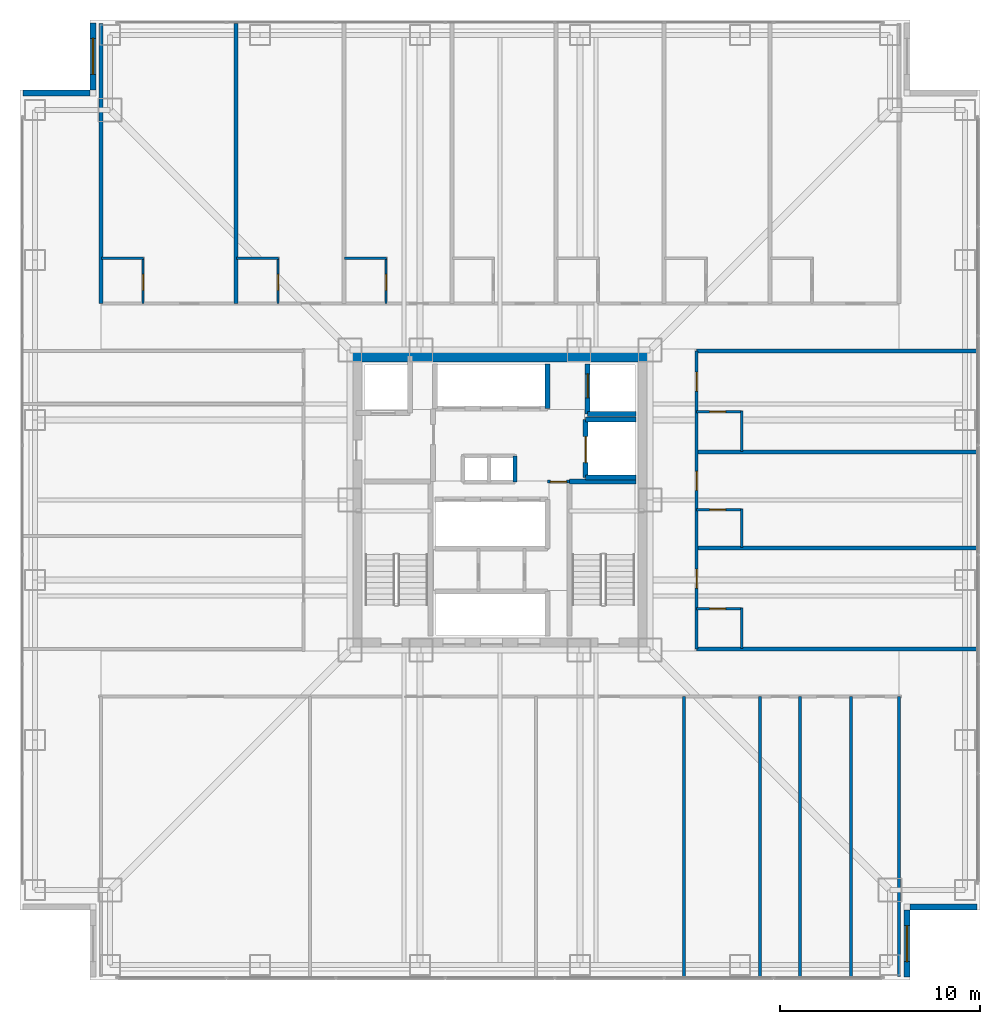
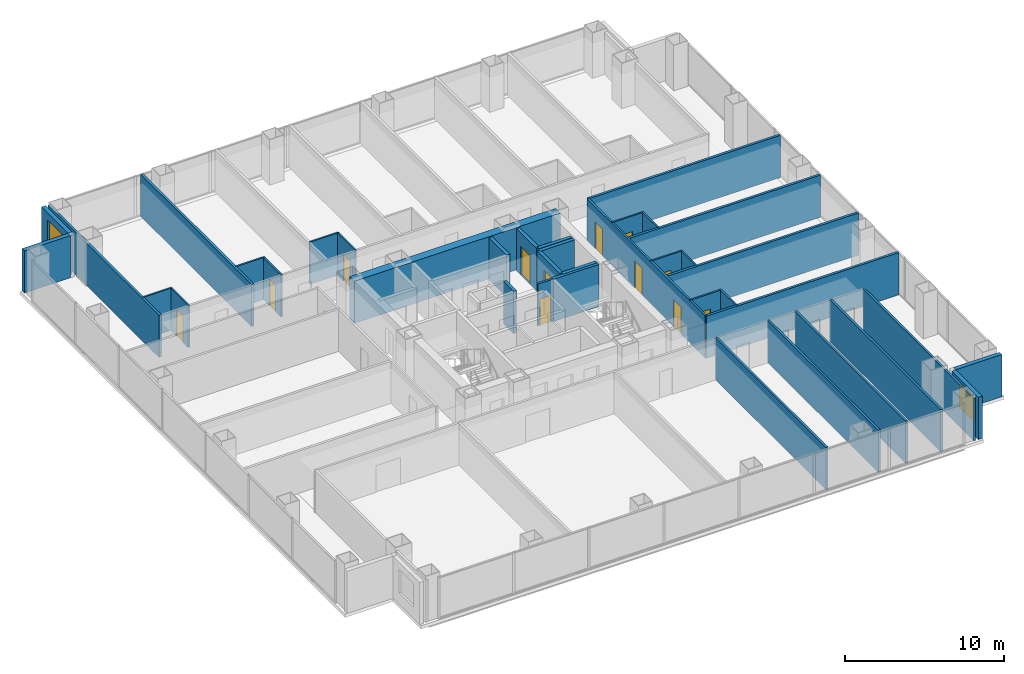
# One storey, part 12 of 16: 38 walls, 12 doors, 2 windows, 14 openings.
"""IFC4 building model written with IfcOpenShell, lengths in metres."""

from ifc_helpers import new_model, si_unit, direction, frame, frame_2d, origin, place, context, subcontext, project, spatial, rectangle, extrude, material, layer, layer_set, type_object, element, fill, save


model = new_model("IFC4")

# Units and contexts
model_context = context("Model", 3, precision=1e-05, world=origin(), true_north=direction((0.0, 1.0)))
body_context = subcontext(model_context, "Body", "Model", "MODEL_VIEW")
ifc_project = project(units=[si_unit("LENGTHUNIT", "METRE"), si_unit("AREAUNIT", "SQUARE_METRE"), si_unit("VOLUMEUNIT", "CUBIC_METRE"), si_unit("PLANEANGLEUNIT", "RADIAN"), si_unit("MASSUNIT", "GRAM", prefix="KILO")], contexts=[model_context])

# Site, building, storey
site_placement = place(None, origin())
site = spatial("IfcSite", under=ifc_project, at=site_placement, CompositionType="ELEMENT")
building_placement = place(site_placement, origin())
building = spatial("IfcBuilding", under=site, at=building_placement, Name="Trevonay Congress Spire", CompositionType="ELEMENT")
storey_placement = place(building_placement, frame((0.0, 0.0, 72.5)))
storey = spatial("IfcBuildingStorey", under=building, at=storey_placement, Name="L18", CompositionType="ELEMENT", Elevation=72.5)

# Wall, opening, door
ifc_material_1 = material(Name="Concrete C40/50", Category="concrete")
ifc_layer_1 = layer(ifc_material_1, 0.1201171875, Name="Concrete C40/50")
ifc_layer_set_1 = layer_set([ifc_layer_1], Name="Concrete C40/50")
wall_type_1 = type_object("IfcWallType", Name="WAL-BATH-120", PredefinedType="PLUMBINGWALL", material=ifc_layer_set_1)
wall_1_placement = place(storey_placement, frame((-17.85009765625, 9.830078125, 0.0), z_axis=(0.0, 0.0, 1.0), x_axis=(0.0, 1.0, 0.0)))
wall_1 = element("IfcWall", 1, at=wall_1_placement, inside=storey, type_object=wall_type_1, Name="L18 interior wall WH-L18N-BS1", PredefinedType="PLUMBINGWALL", context=body_context, shape_type="SweptSolid", body=[
    extrude(rectangle(XDim=2.25, YDim=0.1201171875, at=frame_2d((1.125, 0.0))), origin(), (0.0, 0.0, 1.0), 3.25),
])
opening_1_placement = place(wall_1_placement, frame((0.64990234375, 0.0, 0.0)))
opening_1 = element("IfcOpeningElement", 2, at=opening_1_placement, cuts=wall_1, Name="Opening D11", PredefinedType="OPENING", context=body_context, shape_type="SweptSolid", body=[
    extrude(rectangle(XDim=0.800048828125, YDim=2.050048828125, at=frame_2d((0.39990234375, 1.02490234375))), frame((0.0, 0.070068359375, 0.0), z_axis=(0.0, -1.0, 0.0), x_axis=(1.0, 0.0, 0.0)), (0.0, 0.0, 1.0), 0.14013671875),
])
ifc_material_2 = material(Name="Pale Anodised Aluminium EN AW-6063-T6", Category="aluminium")
door_type_1 = type_object("IfcDoorType", Name="DOR-BATH-80", OperationType="NOTDEFINED", PredefinedType="DOOR", material=ifc_material_2)
door_1_placement = place(opening_1_placement, origin())
door_1 = element("IfcDoor", 3, at=door_1_placement, inside=storey, type_object=door_type_1, Name="L18 En-suite Bathroom Door", OperationType="SINGLE_SWING_LEFT", OverallHeight=2.050048828125, OverallWidth=0.800048828125, PredefinedType="DOOR", context=body_context, shape_type="SweptSolid", body=[
    extrude(rectangle(XDim=0.800048828125, YDim=2.050048828125, at=frame_2d((0.39990234375, 1.02490234375))), frame((0.0, 0.02490234375, 0.0), z_axis=(0.0, -1.0, 0.0), x_axis=(1.0, 0.0, 0.0)), (0.0, 0.0, 1.0), 0.050048828125),
])
fill(opening_1, door_1)

# Wall
wall_2_placement = place(storey_placement, frame((-19.919921875, 12.080078125, 0.0), z_axis=(0.0, 0.0, 1.0), x_axis=(1.0, 0.0, 0.0)))
element("IfcWall", 4, at=wall_2_placement, inside=storey, type_object=wall_type_1, Name="L18 interior wall WH-L18N-BF1", PredefinedType="PLUMBINGWALL", context=body_context, shape_type="SweptSolid", body=[
    extrude(rectangle(XDim=2.099853515625, YDim=0.1201171875, at=frame_2d((1.0498046875, 0.0))), origin(), (0.0, 0.0, 1.0), 3.25),
])

# Wall, opening, door
wall_3_placement = place(storey_placement, frame((-11.10009765625, 9.830078125, 0.0), z_axis=(0.0, 0.0, 1.0), x_axis=(0.0, 1.0, 0.0)))
wall_3 = element("IfcWall", 5, at=wall_3_placement, inside=storey, type_object=wall_type_1, Name="L18 interior wall WH-L18N-BS2", PredefinedType="PLUMBINGWALL", context=body_context, shape_type="SweptSolid", body=[
    extrude(rectangle(XDim=2.25, YDim=0.1201171875, at=frame_2d((1.125, 0.0))), origin(), (0.0, 0.0, 1.0), 3.25),
])
opening_2_placement = place(wall_3_placement, frame((0.64990234375, 0.0, 0.0)))
opening_2 = element("IfcOpeningElement", 6, at=opening_2_placement, cuts=wall_3, Name="Opening D11", PredefinedType="OPENING", context=body_context, shape_type="SweptSolid", body=[
    extrude(rectangle(XDim=0.800048828125, YDim=2.050048828125, at=frame_2d((0.39990234375, 1.02490234375))), frame((0.0, 0.070068359375, 0.0), z_axis=(0.0, -1.0, 0.0), x_axis=(1.0, 0.0, 0.0)), (0.0, 0.0, 1.0), 0.14013671875),
])
door_2_placement = place(opening_2_placement, origin())
door_2 = element("IfcDoor", 7, at=door_2_placement, inside=storey, type_object=door_type_1, Name="L18 En-suite Bathroom Door", OperationType="SINGLE_SWING_RIGHT", OverallHeight=2.050048828125, OverallWidth=0.800048828125, PredefinedType="DOOR", context=body_context, shape_type="SweptSolid", body=[
    extrude(rectangle(XDim=0.800048828125, YDim=2.050048828125, at=frame_2d((0.39990234375, 1.02490234375))), frame((0.0, 0.02490234375, 0.0), z_axis=(0.0, -1.0, 0.0), x_axis=(1.0, 0.0, 0.0)), (0.0, 0.0, 1.0), 0.050048828125),
])
fill(opening_2, door_2)

# Wall
wall_4_placement = place(storey_placement, frame((-13.169921875, 12.080078125, 0.0), z_axis=(0.0, 0.0, 1.0), x_axis=(1.0, 0.0, 0.0)))
element("IfcWall", 8, at=wall_4_placement, inside=storey, type_object=wall_type_1, Name="L18 interior wall WH-L18N-BF2", PredefinedType="PLUMBINGWALL", context=body_context, shape_type="SweptSolid", body=[
    extrude(rectangle(XDim=2.099853515625, YDim=0.1201171875, at=frame_2d((1.0498046875, 0.0))), origin(), (0.0, 0.0, 1.0), 3.25),
])

# Wall, opening, door
wall_5_placement = place(storey_placement, frame((-5.699951171875, 9.830078125, 0.0), z_axis=(0.0, 0.0, 1.0), x_axis=(0.0, 1.0, 0.0)))
wall_5 = element("IfcWall", 9, at=wall_5_placement, inside=storey, type_object=wall_type_1, Name="L18 interior wall WH-L18N-BS3", PredefinedType="PLUMBINGWALL", context=body_context, shape_type="SweptSolid", body=[
    extrude(rectangle(XDim=2.25, YDim=0.1201171875, at=frame_2d((1.125, 0.0))), origin(), (0.0, 0.0, 1.0), 3.25),
])
opening_3_placement = place(wall_5_placement, frame((0.64990234375, 0.0, 0.0)))
opening_3 = element("IfcOpeningElement", 10, at=opening_3_placement, cuts=wall_5, Name="Opening D11", PredefinedType="OPENING", context=body_context, shape_type="SweptSolid", body=[
    extrude(rectangle(XDim=0.800048828125, YDim=2.050048828125, at=frame_2d((0.39990234375, 1.02490234375))), frame((0.0, 0.070068359375, 0.0), z_axis=(0.0, -1.0, 0.0), x_axis=(1.0, 0.0, 0.0)), (0.0, 0.0, 1.0), 0.14013671875),
])
door_3_placement = place(opening_3_placement, origin())
door_3 = element("IfcDoor", 11, at=door_3_placement, inside=storey, type_object=door_type_1, Name="L18 En-suite Bathroom Door", OperationType="SINGLE_SWING_LEFT", OverallHeight=2.050048828125, OverallWidth=0.800048828125, PredefinedType="DOOR", context=body_context, shape_type="SweptSolid", body=[
    extrude(rectangle(XDim=0.800048828125, YDim=2.050048828125, at=frame_2d((0.39990234375, 1.02490234375))), frame((0.0, 0.02490234375, 0.0), z_axis=(0.0, -1.0, 0.0), x_axis=(1.0, 0.0, 0.0)), (0.0, 0.0, 1.0), 0.050048828125),
])
fill(opening_3, door_3)

# Wall
wall_6_placement = place(storey_placement, frame((-7.77001953125, 12.080078125, 0.0), z_axis=(0.0, 0.0, 1.0), x_axis=(1.0, 0.0, 0.0)))
element("IfcWall", 12, at=wall_6_placement, inside=storey, type_object=wall_type_1, Name="L18 interior wall WH-L18N-BF3", PredefinedType="PLUMBINGWALL", context=body_context, shape_type="SweptSolid", body=[
    extrude(rectangle(XDim=2.10009765625, YDim=0.1201171875, at=frame_2d((1.050048828125, 0.0))), origin(), (0.0, 0.0, 1.0), 3.25),
])

# Wall, opening, door
wall_7_placement = place(storey_placement, frame((9.830078125, -5.44189453125, 0.0), z_axis=(0.0, 0.0, 1.0), x_axis=(1.0, 0.0, 0.0)))
wall_7 = element("IfcWall", 13, at=wall_7_placement, inside=storey, type_object=wall_type_1, Name="L18 interior wall WH-L18E-BS1", PredefinedType="PLUMBINGWALL", context=body_context, shape_type="SweptSolid", body=[
    extrude(rectangle(XDim=2.25, YDim=0.1201171875, at=frame_2d((1.125, 0.0))), origin(), (0.0, 0.0, 1.0), 3.25),
])
opening_4_placement = place(wall_7_placement, frame((0.64990234375, 0.0, 0.0)))
opening_4 = element("IfcOpeningElement", 14, at=opening_4_placement, cuts=wall_7, Name="Opening D11", PredefinedType="OPENING", context=body_context, shape_type="SweptSolid", body=[
    extrude(rectangle(XDim=0.800048828125, YDim=2.050048828125, at=frame_2d((0.39990234375, 1.02490234375))), frame((0.0, 0.070068359375, 0.0), z_axis=(0.0, -1.0, 0.0), x_axis=(1.0, 0.0, 0.0)), (0.0, 0.0, 1.0), 0.14013671875),
])
door_4_placement = place(opening_4_placement, origin())
door_4 = element("IfcDoor", 15, at=door_4_placement, inside=storey, type_object=door_type_1, Name="L18 En-suite Bathroom Door", OperationType="SINGLE_SWING_RIGHT", OverallHeight=2.050048828125, OverallWidth=0.800048828125, PredefinedType="DOOR", context=body_context, shape_type="SweptSolid", body=[
    extrude(rectangle(XDim=0.800048828125, YDim=2.050048828125, at=frame_2d((0.39990234375, 1.02490234375))), frame((0.0, 0.02490234375, 0.0), z_axis=(0.0, -1.0, 0.0), x_axis=(1.0, 0.0, 0.0)), (0.0, 0.0, 1.0), 0.050048828125),
])
fill(opening_4, door_4)

# Wall
wall_8_placement = place(storey_placement, frame((12.080078125, -7.419921875, 0.0), z_axis=(0.0, 0.0, 1.0), x_axis=(0.0, 1.0, 0.0)))
element("IfcWall", 16, at=wall_8_placement, inside=storey, type_object=wall_type_1, Name="L18 interior wall WH-L18E-BF1", PredefinedType="PLUMBINGWALL", context=body_context, shape_type="SweptSolid", body=[
    extrude(rectangle(XDim=2.0078125, YDim=0.1201171875, at=frame_2d((1.00390625, 0.0))), origin(), (0.0, 0.0, 1.0), 3.25),
])

# Wall, opening, door
wall_9_placement = place(storey_placement, frame((9.830078125, -0.487060546875, 0.0), z_axis=(0.0, 0.0, 1.0), x_axis=(1.0, 0.0, 0.0)))
wall_9 = element("IfcWall", 17, at=wall_9_placement, inside=storey, type_object=wall_type_1, Name="L18 interior wall WH-L18E-BS2", PredefinedType="PLUMBINGWALL", context=body_context, shape_type="SweptSolid", body=[
    extrude(rectangle(XDim=2.25, YDim=0.1201171875, at=frame_2d((1.125, 0.0))), origin(), (0.0, 0.0, 1.0), 3.25),
])
opening_5_placement = place(wall_9_placement, frame((0.64990234375, 0.0, 0.0)))
opening_5 = element("IfcOpeningElement", 18, at=opening_5_placement, cuts=wall_9, Name="Opening D11", PredefinedType="OPENING", context=body_context, shape_type="SweptSolid", body=[
    extrude(rectangle(XDim=0.800048828125, YDim=2.050048828125, at=frame_2d((0.39990234375, 1.02490234375))), frame((0.0, 0.070068359375, 0.0), z_axis=(0.0, -1.0, 0.0), x_axis=(1.0, 0.0, 0.0)), (0.0, 0.0, 1.0), 0.14013671875),
])
door_5_placement = place(opening_5_placement, origin())
door_5 = element("IfcDoor", 19, at=door_5_placement, inside=storey, type_object=door_type_1, Name="L18 En-suite Bathroom Door", OperationType="SINGLE_SWING_LEFT", OverallHeight=2.050048828125, OverallWidth=0.800048828125, PredefinedType="DOOR", context=body_context, shape_type="SweptSolid", body=[
    extrude(rectangle(XDim=0.800048828125, YDim=2.050048828125, at=frame_2d((0.39990234375, 1.02490234375))), frame((0.0, 0.02490234375, 0.0), z_axis=(0.0, -1.0, 0.0), x_axis=(1.0, 0.0, 0.0)), (0.0, 0.0, 1.0), 0.050048828125),
])
fill(opening_5, door_5)

# Wall
wall_10_placement = place(storey_placement, frame((12.080078125, -2.3701171875, 0.0), z_axis=(0.0, 0.0, 1.0), x_axis=(0.0, 1.0, 0.0)))
element("IfcWall", 20, at=wall_10_placement, inside=storey, type_object=wall_type_1, Name="L18 interior wall WH-L18E-BF2", PredefinedType="PLUMBINGWALL", context=body_context, shape_type="SweptSolid", body=[
    extrude(rectangle(XDim=1.9130859375, YDim=0.1201171875, at=frame_2d((0.95654296875, 0.0))), origin(), (0.0, 0.0, 1.0), 3.25),
])

# Wall, opening, door
wall_11_placement = place(storey_placement, frame((9.830078125, 4.407958984375, 0.0), z_axis=(0.0, 0.0, 1.0), x_axis=(1.0, 0.0, 0.0)))
wall_11 = element("IfcWall", 21, at=wall_11_placement, inside=storey, type_object=wall_type_1, Name="L18 interior wall WH-L18E-BS3", PredefinedType="PLUMBINGWALL", context=body_context, shape_type="SweptSolid", body=[
    extrude(rectangle(XDim=2.25, YDim=0.1201171875, at=frame_2d((1.125, 0.0))), origin(), (0.0, 0.0, 1.0), 3.25),
])
opening_6_placement = place(wall_11_placement, frame((0.64990234375, 0.0, 0.0)))
opening_6 = element("IfcOpeningElement", 22, at=opening_6_placement, cuts=wall_11, Name="Opening D11", PredefinedType="OPENING", context=body_context, shape_type="SweptSolid", body=[
    extrude(rectangle(XDim=0.800048828125, YDim=2.050048828125, at=frame_2d((0.39990234375, 1.02490234375))), frame((0.0, 0.070068359375, 0.0), z_axis=(0.0, -1.0, 0.0), x_axis=(1.0, 0.0, 0.0)), (0.0, 0.0, 1.0), 0.14013671875),
])
door_6_placement = place(opening_6_placement, origin())
door_6 = element("IfcDoor", 23, at=door_6_placement, inside=storey, type_object=door_type_1, Name="L18 En-suite Bathroom Door", OperationType="SINGLE_SWING_RIGHT", OverallHeight=2.050048828125, OverallWidth=0.800048828125, PredefinedType="DOOR", context=body_context, shape_type="SweptSolid", body=[
    extrude(rectangle(XDim=0.800048828125, YDim=2.050048828125, at=frame_2d((0.39990234375, 1.02490234375))), frame((0.0, 0.02490234375, 0.0), z_axis=(0.0, -1.0, 0.0), x_axis=(1.0, 0.0, 0.0)), (0.0, 0.0, 1.0), 0.050048828125),
])
fill(opening_6, door_6)

# Walls
wall_12_placement = place(storey_placement, frame((12.080078125, 2.429931640625, 0.0), z_axis=(0.0, 0.0, 1.0), x_axis=(0.0, 1.0, 0.0)))
element("IfcWall", 24, at=wall_12_placement, inside=storey, type_object=wall_type_1, Name="L18 interior wall WH-L18E-BF3", PredefinedType="PLUMBINGWALL", context=body_context, shape_type="SweptSolid", body=[
    extrude(rectangle(XDim=2.008056640625, YDim=0.1201171875, at=frame_2d((1.00390625, 0.0))), origin(), (0.0, 0.0, 1.0), 3.25),
])
ifc_material_3 = material(Name="Concrete C60/75", Category="concrete")
ifc_layer_2 = layer(ifc_material_3, 0.60009765625, Name="Concrete C60/75")
ifc_layer_set_2 = layer_set([ifc_layer_2], Name="Concrete C60/75")
wall_type_2 = type_object("IfcWallType", Name="WAL-CORE-600", PredefinedType="SHEAR", material=ifc_layer_set_2)
wall_13_placement = place(storey_placement, frame((-7.5, 7.199951171875, 0.0), z_axis=(0.0, 0.0, 1.0), x_axis=(1.0, 0.0, 0.0)))
element("IfcWall", 25, at=wall_13_placement, inside=storey, type_object=wall_type_2, Name="L18 North structural core shear wall", PredefinedType="SHEAR", context=body_context, shape_type="SweptSolid", body=[
    extrude(rectangle(XDim=15.0, YDim=0.60009765625, at=frame_2d((7.5, 0.0))), origin(), (0.0, 0.0, 1.0), 3.25),
])

# Wall, openings, doors
ifc_layer_3 = layer(ifc_material_1, 0.14990234375, Name="Concrete C40/50")
ifc_layer_set_3 = layer_set([ifc_layer_3], Name="Concrete C40/50")
wall_type_3 = type_object("IfcWallType", Name="WAL-CORR-150", PredefinedType="PARTITIONING", material=ifc_layer_set_3)
wall_14_placement = place(storey_placement, frame((9.830078125, -7.449951171875, 0.0), z_axis=(0.0, 0.0, 1.0), x_axis=(0.0, 1.0, 0.0)))
wall_14 = element("IfcWall", 26, at=wall_14_placement, inside=storey, type_object=wall_type_3, Name="L18 interior wall WH-L18E-COR", PredefinedType="PARTITIONING", context=body_context, shape_type="SweptSolid", body=[
    extrude(rectangle(XDim=14.89990234375, YDim=0.14990234375, at=frame_2d((7.449951171875, 0.0))), origin(), (0.0, 0.0, 1.0), 3.25),
])
opening_7_placement = place(wall_14_placement, frame((3.049072265625, 0.0, 0.0)))
opening_7 = element("IfcOpeningElement", 27, at=opening_7_placement, cuts=wall_14, Name="Opening D08", PredefinedType="OPENING", context=body_context, shape_type="SweptSolid", body=[
    extrude(rectangle(XDim=0.949951171875, YDim=2.080078125, at=frame_2d((0.47509765625, 1.0400390625))), frame((0.0, 0.0849609375, 0.0), z_axis=(0.0, -1.0, 0.0), x_axis=(1.0, 0.0, 0.0)), (0.0, 0.0, 1.0), 0.169921875),
])
opening_8_placement = place(wall_14_placement, frame((7.926513671875, 0.0, 0.0)))
opening_8 = element("IfcOpeningElement", 28, at=opening_8_placement, cuts=wall_14, Name="Opening D08", PredefinedType="OPENING", context=body_context, shape_type="SweptSolid", body=[
    extrude(rectangle(XDim=0.949951171875, YDim=2.080078125, at=frame_2d((0.47509765625, 1.0400390625))), frame((0.0, 0.0849609375, 0.0), z_axis=(0.0, -1.0, 0.0), x_axis=(1.0, 0.0, 0.0)), (0.0, 0.0, 1.0), 0.169921875),
])
opening_9_placement = place(wall_14_placement, frame((12.89892578125, 0.0, 0.0)))
opening_9 = element("IfcOpeningElement", 29, at=opening_9_placement, cuts=wall_14, Name="Opening D08", PredefinedType="OPENING", context=body_context, shape_type="SweptSolid", body=[
    extrude(rectangle(XDim=0.949951171875, YDim=2.080078125, at=frame_2d((0.47509765625, 1.0400390625))), frame((0.0, 0.0849609375, 0.0), z_axis=(0.0, -1.0, 0.0), x_axis=(1.0, 0.0, 0.0)), (0.0, 0.0, 1.0), 0.169921875),
])
door_type_2 = type_object("IfcDoorType", Name="DOR-SUITE-95", OperationType="NOTDEFINED", PredefinedType="DOOR", material=ifc_material_2)
door_7_placement = place(opening_7_placement, origin())
door_7 = element("IfcDoor", 30, at=door_7_placement, inside=storey, type_object=door_type_2, Name="L18 Hotel Guest Room Entrance Door", OperationType="SINGLE_SWING_LEFT", OverallHeight=2.080078125, OverallWidth=0.949951171875, PredefinedType="DOOR", context=body_context, shape_type="SweptSolid", body=[
    extrude(rectangle(XDim=0.949951171875, YDim=2.080078125, at=frame_2d((0.47509765625, 1.0400390625))), frame((0.0, 0.02490234375, 0.0), z_axis=(0.0, -1.0, 0.0), x_axis=(1.0, 0.0, 0.0)), (0.0, 0.0, 1.0), 0.050048828125),
])
fill(opening_7, door_7)
door_8_placement = place(opening_8_placement, origin())
door_8 = element("IfcDoor", 31, at=door_8_placement, inside=storey, type_object=door_type_2, Name="L18 Corner Hotel Suite Entrance Door", OperationType="SINGLE_SWING_RIGHT", OverallHeight=2.080078125, OverallWidth=0.949951171875, PredefinedType="DOOR", context=body_context, shape_type="SweptSolid", body=[
    extrude(rectangle(XDim=0.949951171875, YDim=2.080078125, at=frame_2d((0.47509765625, 1.0400390625))), frame((0.0, 0.02490234375, 0.0), z_axis=(0.0, -1.0, 0.0), x_axis=(1.0, 0.0, 0.0)), (0.0, 0.0, 1.0), 0.050048828125),
])
fill(opening_8, door_8)
door_9_placement = place(opening_9_placement, origin())
door_9 = element("IfcDoor", 32, at=door_9_placement, inside=storey, type_object=door_type_2, Name="L18 Hotel Guest Room Entrance Door", OperationType="SINGLE_SWING_LEFT", OverallHeight=2.080078125, OverallWidth=0.949951171875, PredefinedType="DOOR", context=body_context, shape_type="SweptSolid", body=[
    extrude(rectangle(XDim=0.949951171875, YDim=2.080078125, at=frame_2d((0.47509765625, 1.0400390625))), frame((0.0, 0.02490234375, 0.0), z_axis=(0.0, -1.0, 0.0), x_axis=(1.0, 0.0, 0.0)), (0.0, 0.0, 1.0), 0.050048828125),
])
fill(opening_9, door_9)

# Wall, opening, window
ifc_material_4 = material(Name="Precast concrete C40/50", Category="concrete")
ifc_layer_4 = layer(ifc_material_4, 0.300048828125, Name="Precast concrete C40/50")
ifc_layer_set_4 = layer_set([ifc_layer_4], Name="Precast concrete C40/50")
wall_type_4 = type_object("IfcWallType", Name="WAL-EXT-PRECAST-300", PredefinedType="SOLIDWALL", material=ifc_layer_set_4)
wall_15_placement = place(storey_placement, frame((20.35009765625, -23.85009765625, 0.0), z_axis=(0.0, 0.0, 1.0), x_axis=(0.0, 1.0, 0.0)))
wall_15 = element("IfcWall", 33, at=wall_15_placement, inside=storey, type_object=wall_type_4, Name="L18 SE re-entrant notch exterior wall 1", PredefinedType="SOLIDWALL", context=body_context, shape_type="SweptSolid", body=[
    extrude(rectangle(XDim=3.35009765625, YDim=0.300048828125, at=frame_2d((1.675048828125, 0.0))), origin(), (0.0, 0.0, 1.0), 3.25),
])
opening_10_placement = place(wall_15_placement, frame((0.77490234375, 0.0, 0.89990234375)))
opening_10 = element("IfcOpeningElement", 34, at=opening_10_placement, cuts=wall_15, Name="Opening WN01", PredefinedType="OPENING", context=body_context, shape_type="SweptSolid", body=[
    extrude(rectangle(XDim=1.800048828125, YDim=1.800048828125, at=frame_2d((0.89990234375, 0.89990234375))), frame((0.0, 0.16015625, 0.0), z_axis=(0.0, -1.0, 0.0), x_axis=(1.0, 0.0, 0.0)), (0.0, 0.0, 1.0), 0.320068359375),
])
ifc_material_5 = material(Name="Insulated Low-E Vision Glass IGU", Category="glass")
window_type = type_object("IfcWindowType", Name="WIN-HOTEL-180X180", PartitioningType="SINGLE_PANEL", PredefinedType="WINDOW", material=ifc_material_5)
window_1_placement = place(opening_10_placement, origin())
window_1 = element("IfcWindow", 35, at=window_1_placement, inside=storey, type_object=window_type, Name="L18 SE corner notch window", OverallHeight=1.800048828125, OverallWidth=1.800048828125, PartitioningType="SINGLE_PANEL", PredefinedType="WINDOW", context=body_context, shape_type="SweptSolid", body=[
    extrude(rectangle(XDim=1.800048828125, YDim=1.800048828125, at=frame_2d((0.89990234375, 0.89990234375))), frame((0.0, 0.030029296875, 0.0), z_axis=(0.0, -1.0, 0.0), x_axis=(1.0, 0.0, 0.0)), (0.0, 0.0, 1.0), 0.06005859375),
])
fill(opening_10, window_1)

# Wall
wall_16_placement = place(storey_placement, frame((23.85009765625, -20.35009765625, 0.0), z_axis=(0.0, 0.0, 1.0), x_axis=(-1.0, 0.0, 0.0)))
element("IfcWall", 36, at=wall_16_placement, inside=storey, type_object=wall_type_4, Name="L18 SE re-entrant notch exterior wall 2", PredefinedType="SOLIDWALL", context=body_context, shape_type="SweptSolid", body=[
    extrude(rectangle(XDim=3.35009765625, YDim=0.300048828125, at=frame_2d((1.675048828125, 0.0))), origin(), (0.0, 0.0, 1.0), 3.25),
])

# Wall, opening, window
wall_17_placement = place(storey_placement, frame((-20.35009765625, 23.85009765625, 0.0), z_axis=(0.0, 0.0, 1.0), x_axis=(0.0, -1.0, 0.0)))
wall_17 = element("IfcWall", 37, at=wall_17_placement, inside=storey, type_object=wall_type_4, Name="L18 NW re-entrant notch exterior wall 1", PredefinedType="SOLIDWALL", context=body_context, shape_type="SweptSolid", body=[
    extrude(rectangle(XDim=3.35009765625, YDim=0.300048828125, at=frame_2d((1.675048828125, 0.0))), origin(), (0.0, 0.0, 1.0), 3.25),
])
opening_11_placement = place(wall_17_placement, frame((0.77490234375, 0.0, 0.89990234375)))
opening_11 = element("IfcOpeningElement", 38, at=opening_11_placement, cuts=wall_17, Name="Opening WN01", PredefinedType="OPENING", context=body_context, shape_type="SweptSolid", body=[
    extrude(rectangle(XDim=1.800048828125, YDim=1.800048828125, at=frame_2d((0.89990234375, 0.89990234375))), frame((0.0, 0.16015625, 0.0), z_axis=(0.0, -1.0, 0.0), x_axis=(1.0, 0.0, 0.0)), (0.0, 0.0, 1.0), 0.320068359375),
])
window_2_placement = place(opening_11_placement, origin())
window_2 = element("IfcWindow", 39, at=window_2_placement, inside=storey, type_object=window_type, Name="L18 NW corner notch window", OverallHeight=1.800048828125, OverallWidth=1.800048828125, PartitioningType="SINGLE_PANEL", PredefinedType="WINDOW", context=body_context, shape_type="SweptSolid", body=[
    extrude(rectangle(XDim=1.800048828125, YDim=1.800048828125, at=frame_2d((0.89990234375, 0.89990234375))), frame((0.0, 0.030029296875, 0.0), z_axis=(0.0, -1.0, 0.0), x_axis=(1.0, 0.0, 0.0)), (0.0, 0.0, 1.0), 0.06005859375),
])
fill(opening_11, window_2)

# Walls
wall_18_placement = place(storey_placement, frame((-23.85009765625, 20.35009765625, 0.0), z_axis=(0.0, 0.0, 1.0), x_axis=(1.0, 0.0, 0.0)))
element("IfcWall", 40, at=wall_18_placement, inside=storey, type_object=wall_type_4, Name="L18 NW re-entrant notch exterior wall 2", PredefinedType="SOLIDWALL", context=body_context, shape_type="SweptSolid", body=[
    extrude(rectangle(XDim=3.35009765625, YDim=0.300048828125, at=frame_2d((1.675048828125, 0.0))), origin(), (0.0, 0.0, 1.0), 3.25),
])
ifc_layer_5 = layer(ifc_material_1, 0.179931640625, Name="Concrete C40/50")
ifc_layer_set_5 = layer_set([ifc_layer_5], Name="Concrete C40/50")
wall_type_5 = type_object("IfcWallType", Name="WAL-HOTEL-180", PredefinedType="PARTITIONING", material=ifc_layer_set_5)
for number, where, z_axis, x_axis, name in (
    (41, (-19.949951171875, 9.830078125, 0.0), (0.0, 0.0, 1.0), (0.0, 1.0, 0.0), "L18 interior wall WH-L18N-DIV1"),
    (42, (-13.199951171875, 9.830078125, 0.0), (0.0, 0.0, 1.0), (0.0, 1.0, 0.0), "L18 interior wall WH-L18N-DIV2"),
    (43, (9.830078125, -7.449951171875, 0.0), (0.0, 0.0, 1.0), (1.0, 0.0, 0.0), "L18 interior wall WH-L18E-DIV1"),
    (44, (9.830078125, -2.39990234375, 0.0), (0.0, 0.0, 1.0), (1.0, 0.0, 0.0), "L18 interior wall WH-L18E-DIV2"),
    (45, (9.830078125, 2.39990234375, 0.0), (0.0, 0.0, 1.0), (1.0, 0.0, 0.0), "L18 interior wall WH-L18E-DIV3"),
    (46, (9.830078125, 7.449951171875, 0.0), (0.0, 0.0, 1.0), (1.0, 0.0, 0.0), "L18 interior wall WH-L18E-DIV4"),
):
    element("IfcWall", number, at=place(storey_placement, frame(where, z_axis=z_axis, x_axis=x_axis)), inside=storey, type_object=wall_type_5, Name=name, PredefinedType="PARTITIONING", context=body_context, shape_type="SweptSolid", body=[
        extrude(rectangle(XDim=13.989990234375, YDim=0.179931640625, at=frame_2d((6.9951171875, 0.0))), origin(), (0.0, 0.0, 1.0), 3.25),
    ])

# Wall, opening, door
ifc_layer_6 = layer(ifc_material_1, 0.14990234375, Name="Concrete C40/50")
ifc_layer_set_6 = layer_set([ifc_layer_6], Name="Concrete C40/50")
wall_type_6 = type_object("IfcWallType", Name="WAL-PART-150", PredefinedType="PARTITIONING", material=ifc_layer_set_6)
wall_19_placement = place(storey_placement, frame((2.3798828125, 0.919921875, 0.0), z_axis=(0.0, 0.0, 1.0), x_axis=(1.0, 0.0, 0.0)))
wall_19 = element("IfcWall", 47, at=wall_19_placement, inside=storey, type_object=wall_type_6, Name="L18 interior wall CW-CSRV-N-L18", PredefinedType="PARTITIONING", context=body_context, shape_type="SweptSolid", body=[
    extrude(rectangle(XDim=1.090087890625, YDim=0.14990234375, at=frame_2d((0.544921875, 0.0))), origin(), (0.0, 0.0, 1.0), 3.25),
])
opening_12_placement = place(wall_19_placement, frame((0.135009765625, 0.0, 0.0)))
opening_12 = element("IfcOpeningElement", 48, at=opening_12_placement, cuts=wall_19, Name="Opening D13", PredefinedType="OPENING", context=body_context, shape_type="SweptSolid", body=[
    extrude(rectangle(XDim=0.820068359375, YDim=2.050048828125, at=frame_2d((0.41015625, 1.02490234375))), frame((0.0, 0.0849609375, 0.0), z_axis=(0.0, -1.0, 0.0), x_axis=(1.0, 0.0, 0.0)), (0.0, 0.0, 1.0), 0.169921875),
])
ifc_material_6 = material(Name="Steel ASTM A572 Grade 50", Category="steel")
door_type_3 = type_object("IfcDoorType", Name="DOR-UTIL-80", OperationType="NOTDEFINED", PredefinedType="DOOR", material=ifc_material_6)
door_10_placement = place(opening_12_placement, origin())
door_10 = element("IfcDoor", 49, at=door_10_placement, inside=storey, type_object=door_type_3, Name="L18 Core Service Pocket Door", OperationType="SINGLE_SWING_LEFT", OverallHeight=2.050048828125, OverallWidth=0.820068359375, PredefinedType="DOOR", context=body_context, shape_type="SweptSolid", body=[
    extrude(rectangle(XDim=0.820068359375, YDim=2.050048828125, at=frame_2d((0.41015625, 1.02490234375))), frame((0.0, 0.02490234375, 0.0), z_axis=(0.0, -1.0, 0.0), x_axis=(1.0, 0.0, 0.0)), (0.0, 0.0, 1.0), 0.050048828125),
])
fill(opening_12, door_10)

# Walls
for number, where, z_axis, x_axis, name in (
    (50, (9.199951171875, -23.820068359375, 0.0), (0.0, 0.0, 1.0), (0.0, 1.0, 0.0), "L18 interior wall WP-L18S-DIV4"),
    (51, (13.0, -23.820068359375, 0.0), (0.0, 0.0, 1.0), (0.0, 1.0, 0.0), "L18 interior wall WP-L18S-DIV5"),
    (52, (15.0, -23.820068359375, 0.0), (0.0, 0.0, 1.0), (0.0, 1.0, 0.0), "L18 interior wall WP-L18S-DIV6"),
    (53, (19.949951171875, -23.820068359375, 0.0), (0.0, 0.0, 1.0), (0.0, 1.0, 0.0), "L18 interior wall WP-L18S-DIV7"),
):
    element("IfcWall", number, at=place(storey_placement, frame(where, z_axis=z_axis, x_axis=x_axis)), inside=storey, type_object=wall_type_6, Name=name, PredefinedType="PARTITIONING", context=body_context, shape_type="SweptSolid", body=[
        extrude(rectangle(XDim=13.989990234375, YDim=0.14990234375, at=frame_2d((6.9951171875, 0.0))), origin(), (0.0, 0.0, 1.0), 3.25),
    ])
ifc_layer_7 = layer(ifc_material_1, 0.219970703125, Name="Concrete C40/50")
ifc_layer_set_7 = layer_set([ifc_layer_7], Name="Concrete C40/50")
wall_type_7 = type_object("IfcWallType", Name="WAL-SHAFT-220", PredefinedType="PARTITIONING", material=ifc_layer_set_7)
wall_20_placement = place(storey_placement, frame((0.75, 0.89990234375, 0.0), z_axis=(0.0, 0.0, 1.0), x_axis=(0.0, 1.0, 0.0)))
element("IfcWall", 54, at=wall_20_placement, inside=storey, type_object=wall_type_7, Name="L18 interior shaft wall WSH-L18-RSR-E", PredefinedType="PARTITIONING", context=body_context, shape_type="SweptSolid", body=[
    extrude(rectangle(XDim=1.300048828125, YDim=0.219970703125, at=frame_2d((0.64990234375, 0.0))), origin(), (0.0, 0.0, 1.0), 3.25),
])
ifc_layer_8 = layer(ifc_material_1, 0.25, Name="Concrete C40/50")
ifc_layer_set_8 = layer_set([ifc_layer_8], Name="Concrete C40/50")
wall_type_8 = type_object("IfcWallType", Name="WAL-SHAFT-250", PredefinedType="SHEAR", material=ifc_layer_set_8)
wall_21_placement = place(storey_placement, frame((2.3798828125, 4.580078125, 0.0), z_axis=(0.0, 0.0, 1.0), x_axis=(0.0, 1.0, 0.0)))
element("IfcWall", 55, at=wall_21_placement, inside=storey, type_object=wall_type_8, Name="L18 interior shaft wall WSH-L18-B3-E", PredefinedType="SHEAR", context=body_context, shape_type="SweptSolid", body=[
    extrude(rectangle(XDim=2.219970703125, YDim=0.25, at=frame_2d((1.10986328125, 0.0))), origin(), (0.0, 0.0, 1.0), 3.25),
])
wall_22_placement = place(storey_placement, frame((4.3798828125, 4.300048828125, 0.0), z_axis=(0.0, 0.0, 1.0), x_axis=(1.0, 0.0, 0.0)))
element("IfcWall", 56, at=wall_22_placement, inside=storey, type_object=wall_type_8, Name="L18 interior shaft wall WSH-L18-FF2-S", PredefinedType="SHEAR", context=body_context, shape_type="SweptSolid", body=[
    extrude(rectangle(XDim=2.420166015625, YDim=0.25, at=frame_2d((1.2099609375, 0.0))), origin(), (0.0, 0.0, 1.0), 3.25),
])

# Wall, opening, door
wall_23_placement = place(storey_placement, frame((4.3798828125, 4.300048828125, 0.0), z_axis=(0.0, 0.0, 1.0), x_axis=(0.0, 1.0, 0.0)))
wall_23 = element("IfcWall", 57, at=wall_23_placement, inside=storey, type_object=wall_type_8, Name="L18 interior shaft wall WSH-L18-FF2-W", PredefinedType="SHEAR", context=body_context, shape_type="SweptSolid", body=[
    extrude(rectangle(XDim=2.5, YDim=0.25, at=frame_2d((1.25, 0.0))), origin(), (0.0, 0.0, 1.0), 3.25),
])
opening_13_placement = place(wall_23_placement, frame((0.800048828125, 0.0, 0.0)))
opening_13 = element("IfcOpeningElement", 58, at=opening_13_placement, cuts=wall_23, Name="Opening LD04", PredefinedType="OPENING", context=body_context, shape_type="SweptSolid", body=[
    extrude(rectangle(XDim=1.199951171875, YDim=2.199951171875, at=frame_2d((0.60009765625, 1.10009765625))), frame((0.0, 0.135009765625, 0.0), z_axis=(0.0, -1.0, 0.0), x_axis=(1.0, 0.0, 0.0)), (0.0, 0.0, 1.0), 0.27001953125),
])
door_type_4 = type_object("IfcDoorType", Name="DOR-LIFT-LD04", OperationType="DOUBLE_DOOR_SLIDING", PredefinedType="DOOR", material=ifc_material_6)
door_11_placement = place(opening_13_placement, origin())
door_11 = element("IfcDoor", 59, at=door_11_placement, inside=storey, type_object=door_type_4, Name="L18 Firefighting lift FFL-02 landing door", OperationType="DOUBLE_DOOR_SLIDING", OverallHeight=2.199951171875, OverallWidth=1.199951171875, PredefinedType="DOOR", context=body_context, shape_type="SweptSolid", body=[
    extrude(rectangle(XDim=1.199951171875, YDim=2.199951171875, at=frame_2d((0.60009765625, 1.10009765625))), frame((0.0, 0.02490234375, 0.0), z_axis=(0.0, -1.0, 0.0), x_axis=(1.0, 0.0, 0.0)), (0.0, 0.0, 1.0), 0.050048828125),
])
fill(opening_13, door_11)

wall_24_placement = place(storey_placement, frame((4.280029296875, 1.1201171875, 0.0), z_axis=(0.0, 0.0, 1.0), x_axis=(0.0, 1.0, 0.0)))
wall_24 = element("IfcWall", 60, at=wall_24_placement, inside=storey, type_object=wall_type_8, Name="L18 interior shaft wall WSH-L18-SV-W", PredefinedType="SHEAR", context=body_context, shape_type="SweptSolid", body=[
    extrude(rectangle(XDim=2.89990234375, YDim=0.25, at=frame_2d((1.449951171875, 0.0))), origin(), (0.0, 0.0, 1.0), 3.25),
])
opening_14_placement = place(wall_24_placement, frame((0.75, 0.0, 0.0)))
opening_14 = element("IfcOpeningElement", 61, at=opening_14_placement, cuts=wall_24, Name="Opening LD05", PredefinedType="OPENING", context=body_context, shape_type="SweptSolid", body=[
    extrude(rectangle(XDim=1.300048828125, YDim=2.300048828125, at=frame_2d((0.64990234375, 1.14990234375))), frame((0.0, 0.135009765625, 0.0), z_axis=(0.0, -1.0, 0.0), x_axis=(1.0, 0.0, 0.0)), (0.0, 0.0, 1.0), 0.27001953125),
])
door_type_5 = type_object("IfcDoorType", Name="DOR-LIFT-LD05", OperationType="DOUBLE_DOOR_SLIDING", PredefinedType="DOOR", material=ifc_material_6)
door_12_placement = place(opening_14_placement, origin())
door_12 = element("IfcDoor", 62, at=door_12_placement, inside=storey, type_object=door_type_5, Name="L18 Goods lift SVL-01 landing door", OperationType="DOUBLE_DOOR_SLIDING", OverallHeight=2.300048828125, OverallWidth=1.300048828125, PredefinedType="DOOR", context=body_context, shape_type="SweptSolid", body=[
    extrude(rectangle(XDim=1.300048828125, YDim=2.300048828125, at=frame_2d((0.64990234375, 1.14990234375))), frame((0.0, 0.02490234375, 0.0), z_axis=(0.0, -1.0, 0.0), x_axis=(1.0, 0.0, 0.0)), (0.0, 0.0, 1.0), 0.050048828125),
])
fill(opening_14, door_12)

# Walls
for number, where, z_axis, x_axis, name in (
    (63, (4.280029296875, 1.1201171875, 0.0), (0.0, 0.0, 1.0), (1.0, 0.0, 0.0), "L18 interior shaft wall WSH-L18-SV-S"),
    (64, (4.280029296875, 4.02001953125, 0.0), (0.0, 0.0, 1.0), (1.0, 0.0, 0.0), "L18 interior shaft wall WSH-L18-SV-N"),
):
    element("IfcWall", number, at=place(storey_placement, frame(where, z_axis=z_axis, x_axis=x_axis)), inside=storey, type_object=wall_type_8, Name=name, PredefinedType="SHEAR", context=body_context, shape_type="SweptSolid", body=[
        extrude(rectangle(XDim=2.52001953125, YDim=0.25, at=frame_2d((1.260009765625, 0.0))), origin(), (0.0, 0.0, 1.0), 3.25),
    ])
ifc_layer_9 = layer(ifc_material_1, 0.25, Name="Concrete C40/50")
ifc_layer_set_9 = layer_set([ifc_layer_9], Name="Concrete C40/50")
wall_type_9 = type_object("IfcWallType", Name="WAL-SHAFT-LB-250", PredefinedType="SHEAR", material=ifc_layer_set_9)
wall_25_placement = place(storey_placement, frame((3.469970703125, 0.919921875, 0.0), z_axis=(0.0, 0.0, 1.0), x_axis=(1.0, 0.0, 0.0)))
element("IfcWall", 65, at=wall_25_placement, inside=storey, type_object=wall_type_9, Name="L18 interior shaft wall WSH-L18-ST2-N", PredefinedType="SHEAR", context=body_context, shape_type="SweptSolid", body=[
    extrude(rectangle(XDim=3.330078125, YDim=0.25, at=frame_2d((1.6650390625, 0.0))), origin(), (0.0, 0.0, 1.0), 3.25),
])
ifc_layer_10 = layer(ifc_material_1, 0.1650390625, Name="Concrete C40/50")
ifc_layer_set_10 = layer_set([ifc_layer_10], Name="Concrete C40/50")
wall_type_10 = type_object("IfcWallType", Name="WAL-WET-165", PredefinedType="PLUMBINGWALL", material=ifc_layer_set_10)
wall_26_placement = place(storey_placement, frame((17.550048828125, -23.820068359375, 0.0), z_axis=(0.0, 0.0, 1.0), x_axis=(0.0, 1.0, 0.0)))
element("IfcWall", 66, at=wall_26_placement, inside=storey, type_object=wall_type_10, Name="L18 interior wall WP-L18S-WCS6", PredefinedType="PLUMBINGWALL", context=body_context, shape_type="SweptSolid", body=[
    extrude(rectangle(XDim=13.989990234375, YDim=0.1650390625, at=frame_2d((6.9951171875, 0.0))), origin(), (0.0, 0.0, 1.0), 3.25),
])

save(model, "model.ifc")
